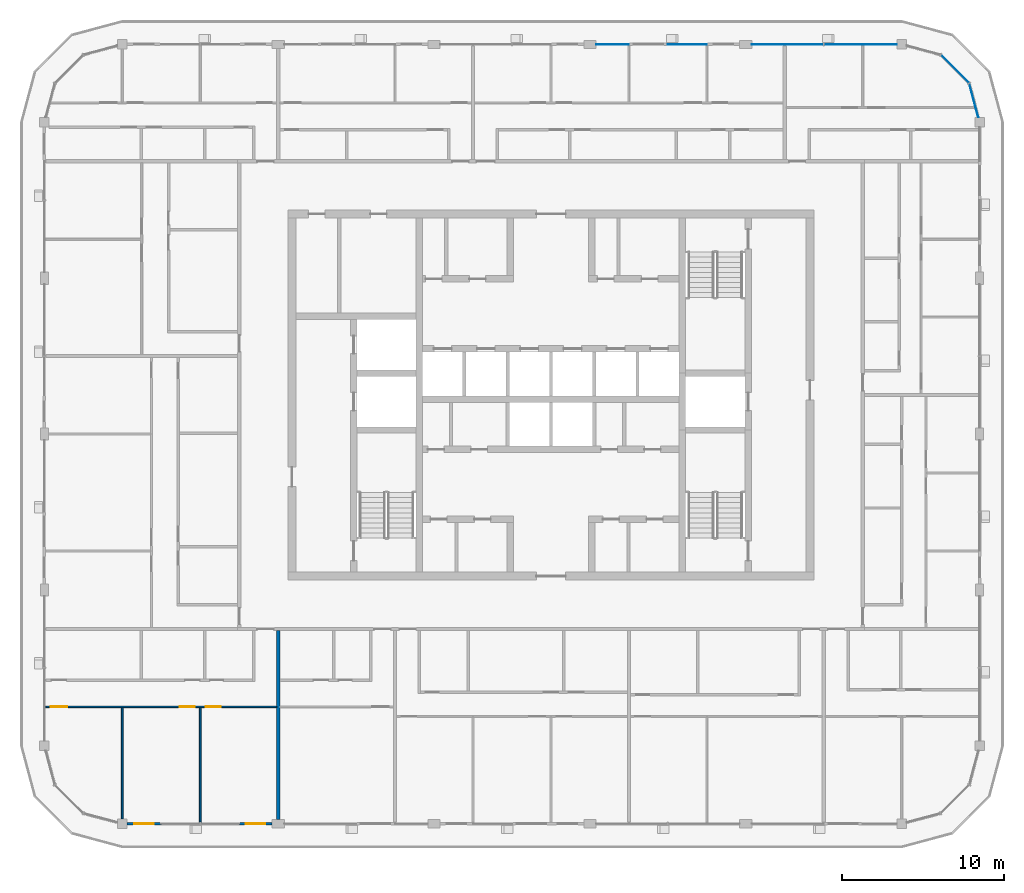
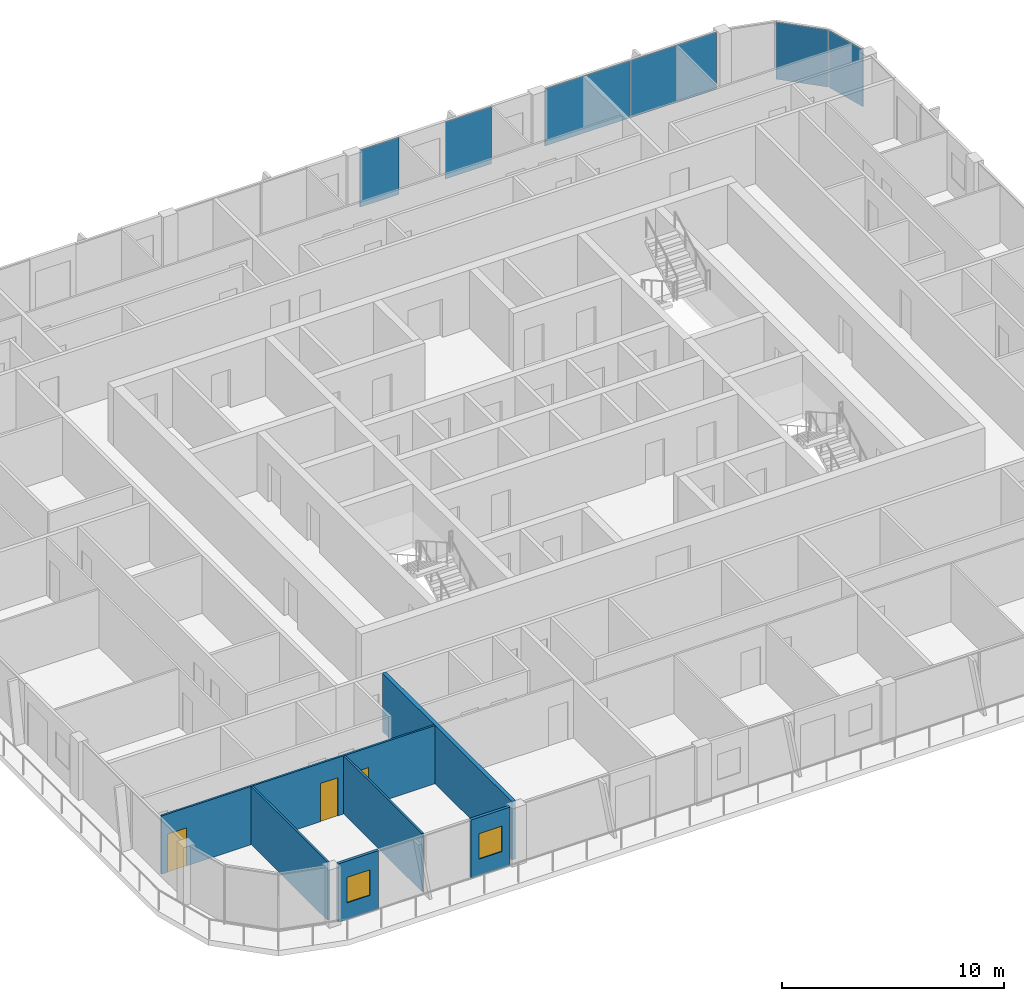
# One storey, part 8 of 22: 6 plates, 6 walls, 3 doors, 2 windows, 5 openings, 3 elements without a shape of their own.
"""IFC4 building model written with IfcOpenShell, lengths in metres."""

from ifc_helpers import new_model, si_unit, direction, frame, frame_2d, origin, origin_2d, place, context, subcontext, project, spatial, rectangle, extrude, material, layer, layer_set, type_object, element, fill, aggregate, save


model = new_model("IFC4")

# Units and contexts
model_context = context("Model", 3, precision=1e-05, world=origin(), true_north=direction((0.0, 1.0)))
body_context = subcontext(model_context, "Body", "Model", "MODEL_VIEW")
ifc_project = project(units=[si_unit("LENGTHUNIT", "METRE"), si_unit("AREAUNIT", "SQUARE_METRE"), si_unit("VOLUMEUNIT", "CUBIC_METRE"), si_unit("PLANEANGLEUNIT", "RADIAN"), si_unit("MASSUNIT", "GRAM", prefix="KILO")], contexts=[model_context])

# Site, building, storey
site_placement = place(None, origin())
site = spatial("IfcSite", under=ifc_project, at=site_placement, CompositionType="ELEMENT")
building_placement = place(site_placement, origin())
building = spatial("IfcBuilding", under=site, at=building_placement, Name="Madar Terraces", CompositionType="ELEMENT")
storey_placement = place(building_placement, frame((0.0, 0.0, 279.10009765625)))
storey = spatial("IfcBuildingStorey", under=building, at=storey_placement, Name="L73", CompositionType="ELEMENT", Elevation=279.10009765625)

# Curtain wall, plates
ifc_material_1 = material(Name="Glass, ceramic frit dark grey, with black aluminium frame", Category="aluminium")
ifc_layer_1 = layer(ifc_material_1, 0.199951171875)
ifc_layer_set_1 = layer_set([ifc_layer_1], Name="Facade curtain wall, fritted glass")
curtain_wall_type = type_object("IfcCurtainWallType", Name="Facade curtain wall, fritted glass", PredefinedType="NOTDEFINED", material=ifc_layer_set_1)
curtain_wall_1_placement = place(storey_placement, origin())
curtain_wall_1 = element("IfcCurtainWall", 1, at=curtain_wall_1_placement, inside=storey, type_object=curtain_wall_type, Name="Outer skin curtain wall north bay 1", PredefinedType="NOTDEFINED")
ifc_material_2 = material(Name="Glass, ceramic frit dark grey", Category="glass")
ifc_layer_2 = layer(ifc_material_2, 0.028076171875)
ifc_layer_set_2 = layer_set([ifc_layer_2], Name="Facade glass panel 28")
plate_type = type_object("IfcPlateType", Name="Facade glass panel 28", PredefinedType="CURTAIN_PANEL", material=ifc_layer_set_2)
plate_1_placement = place(storey_placement, frame((50.264892578125, 48.0, 0.0), z_axis=(0.0, 0.0, 1.0), x_axis=(-1.0, 0.0, 0.0)))
plate_1 = element("IfcPlate", 2, at=plate_1_placement, type_object=plate_type, Name="Panel 1", PredefinedType="CURTAIN_PANEL", context=body_context, shape_type="SweptSolid", body=[
    extrude(rectangle(XDim=4.469970703125, YDim=0.028076171875, at=origin_2d()), origin(), (0.0, 0.0, 1.0), 3.139892578125),
])
plate_2_placement = place(storey_placement, frame((45.7724609375, 48.0, 0.0), z_axis=(0.0, 0.0, 1.0), x_axis=(-1.0, 0.0, 0.0)))
plate_2 = element("IfcPlate", 3, at=plate_2_placement, type_object=plate_type, Name="Panel 2", PredefinedType="CURTAIN_PANEL", context=body_context, shape_type="SweptSolid", body=[
    extrude(rectangle(XDim=4.39501953125, YDim=0.028076171875, at=origin_2d()), origin(), (0.0, 0.0, 1.0), 3.139892578125),
])
aggregate(curtain_wall_1, [plate_1, plate_2])

curtain_wall_2_placement = place(storey_placement, origin())
curtain_wall_2 = element("IfcCurtainWall", 4, at=curtain_wall_2_placement, inside=storey, type_object=curtain_wall_type, Name="Outer skin curtain wall north bay 2", PredefinedType="NOTDEFINED")
plate_3_placement = place(storey_placement, frame((39.60009765625, 48.0, 0.0), z_axis=(0.0, 0.0, 1.0), x_axis=(-1.0, 0.0, 0.0)))
plate_3 = element("IfcPlate", 5, at=plate_3_placement, type_object=plate_type, Name="Panel 1", PredefinedType="CURTAIN_PANEL", context=body_context, shape_type="SweptSolid", body=[
    extrude(rectangle(XDim=2.39990234375, YDim=0.028076171875, at=origin_2d()), origin(), (0.0, 0.0, 1.0), 3.139892578125),
])
plate_4_placement = place(storey_placement, frame((34.987548828125, 48.0, 0.0), z_axis=(0.0, 0.0, 1.0), x_axis=(-1.0, 0.0, 0.0)))
plate_4 = element("IfcPlate", 6, at=plate_4_placement, type_object=plate_type, Name="Panel 2", PredefinedType="CURTAIN_PANEL", context=body_context, shape_type="SweptSolid", body=[
    extrude(rectangle(XDim=2.02490234375, YDim=0.028076171875, at=origin_2d()), origin(), (0.0, 0.0, 1.0), 3.139892578125),
])
aggregate(curtain_wall_2, [plate_3, plate_4])

curtain_wall_3_placement = place(storey_placement, origin())
curtain_wall_3 = element("IfcCurtainWall", 7, at=curtain_wall_3_placement, inside=storey, type_object=curtain_wall_type, Name="Outer skin curtain wall north-east corner", PredefinedType="NOTDEFINED")
plate_5_placement = place(storey_placement, frame((57.2421875, 44.535400390625, 0.0), z_axis=(0.0, 0.0, 1.0), x_axis=(-0.258819021888, 0.965925832509, 0.0)))
plate_5 = element("IfcPlate", 8, at=plate_5_placement, type_object=plate_type, Name="Panel 1", PredefinedType="CURTAIN_PANEL", context=body_context, shape_type="SweptSolid", body=[
    extrude(rectangle(XDim=2.14404296875, YDim=0.028076171875, at=origin_2d()), origin(), (0.0, 0.0, 1.0), 3.139892578125),
])
plate_6_placement = place(storey_placement, frame((56.078369140625, 46.478515625, 0.0), z_axis=(0.0, 0.0, 1.0), x_axis=(-0.707106781187, 0.707106781187, 0.0)))
plate_6 = element("IfcPlate", 9, at=plate_6_placement, type_object=plate_type, Name="Panel 2", PredefinedType="CURTAIN_PANEL", context=body_context, shape_type="SweptSolid", body=[
    extrude(rectangle(XDim=2.424560546875, YDim=0.028076171875, at=origin_2d()), origin(), (0.0, 0.0, 1.0), 3.139892578125),
])
aggregate(curtain_wall_3, [plate_5, plate_6])

# Wall, opening, window
ifc_material_3 = material(Name="Aluminium composite panel, black, over insulated backing", Category="aluminium")
ifc_layer_3 = layer(ifc_material_3, 0.14990234375)
ifc_layer_set_3 = layer_set([ifc_layer_3], Name="Facade bay panel 150")
wall_type_1 = type_object("IfcWallType", Name="Facade bay panel 150", PredefinedType="SOLIDWALL", material=ifc_layer_set_3)
wall_1_placement = place(storey_placement, frame((5.10009765625, 0.0, 0.0), z_axis=(0.0, 0.0, 1.0), x_axis=(1.0, 0.0, 0.0)))
wall_1 = element("IfcWall", 10, at=wall_1_placement, inside=storey, type_object=wall_type_1, Name="Facade bay panel", PredefinedType="SOLIDWALL", context=body_context, shape_type="SweptSolid", body=[
    extrude(rectangle(XDim=2.099853515625, YDim=0.14990234375, at=frame_2d((1.0498046875, 0.0))), origin(), (0.0, 0.0, 1.0), 3.199951171875),
])
opening_1_placement = place(wall_1_placement, frame((0.449951171875, 0.0, 0.89990234375)))
opening_1 = element("IfcOpeningElement", 11, at=opening_1_placement, cuts=wall_1, Name="Opening W1", PredefinedType="OPENING", context=body_context, shape_type="SweptSolid", body=[
    extrude(rectangle(XDim=1.199951171875, YDim=1.39990234375, at=frame_2d((0.60009765625, 0.699951171875))), frame((0.0, 0.0849609375, 0.0), z_axis=(0.0, -1.0, 0.0), x_axis=(1.0, 0.0, 0.0)), (0.0, 0.0, 1.0), 0.169921875),
])
ifc_material_4 = material(Name="Glass, clear, with black aluminium frame", Category="aluminium")
window_type = type_object("IfcWindowType", Name="Vent window 1200 x 1400", PartitioningType="SINGLE_PANEL", PredefinedType="WINDOW", material=ifc_material_4)
window_1_placement = place(opening_1_placement, origin())
window_1 = element("IfcWindow", 12, at=window_1_placement, inside=storey, type_object=window_type, Name="Operable vent window", OverallHeight=1.39990234375, OverallWidth=1.199951171875, PartitioningType="SINGLE_PANEL", PredefinedType="WINDOW", context=body_context, shape_type="SweptSolid", body=[
    extrude(rectangle(XDim=1.199951171875, YDim=1.39990234375, at=frame_2d((0.60009765625, 0.699951171875))), frame((0.0, 0.030029296875, 0.0), z_axis=(0.0, -1.0, 0.0), x_axis=(1.0, 0.0, 0.0)), (0.0, 0.0, 1.0), 0.06005859375),
])
fill(opening_1, window_1)

wall_2_placement = place(storey_placement, frame((12.0, 0.0, 0.0), z_axis=(0.0, 0.0, 1.0), x_axis=(1.0, 0.0, 0.0)))
wall_2 = element("IfcWall", 13, at=wall_2_placement, inside=storey, type_object=wall_type_1, Name="Facade bay panel", PredefinedType="SOLIDWALL", context=body_context, shape_type="SweptSolid", body=[
    extrude(rectangle(XDim=2.02490234375, YDim=0.14990234375, at=frame_2d((1.012451171875, 0.0))), origin(), (0.0, 0.0, 1.0), 3.199951171875),
])
opening_2_placement = place(wall_2_placement, frame((0.41259765625, 0.0, 0.89990234375)))
opening_2 = element("IfcOpeningElement", 14, at=opening_2_placement, cuts=wall_2, Name="Opening W1", PredefinedType="OPENING", context=body_context, shape_type="SweptSolid", body=[
    extrude(rectangle(XDim=1.199951171875, YDim=1.39990234375, at=frame_2d((0.60009765625, 0.699951171875))), frame((0.0, 0.0849609375, 0.0), z_axis=(0.0, -1.0, 0.0), x_axis=(1.0, 0.0, 0.0)), (0.0, 0.0, 1.0), 0.169921875),
])
window_2_placement = place(opening_2_placement, origin())
window_2 = element("IfcWindow", 15, at=window_2_placement, inside=storey, type_object=window_type, Name="Operable vent window", OverallHeight=1.39990234375, OverallWidth=1.199951171875, PartitioningType="SINGLE_PANEL", PredefinedType="WINDOW", context=body_context, shape_type="SweptSolid", body=[
    extrude(rectangle(XDim=1.199951171875, YDim=1.39990234375, at=frame_2d((0.60009765625, 0.699951171875))), frame((0.0, 0.030029296875, 0.0), z_axis=(0.0, -1.0, 0.0), x_axis=(1.0, 0.0, 0.0)), (0.0, 0.0, 1.0), 0.06005859375),
])
fill(opening_2, window_2)

# Walls
ifc_material_5 = material(Name="Gypsum board on steel studs", Category="steel")
ifc_layer_4 = layer(ifc_material_5, 0.10009765625)
ifc_layer_set_4 = layer_set([ifc_layer_4], Name="Flat partition 100")
wall_type_2 = type_object("IfcWallType", Name="Flat partition 100", PredefinedType="PARTITIONING", material=ifc_layer_set_4)
wall_3_placement = place(storey_placement, frame((9.60009765625, 7.14990234375, 0.0), z_axis=(0.0, 0.0, 1.0), x_axis=(0.0, -1.0, 0.0)))
element("IfcWall", 16, at=wall_3_placement, inside=storey, type_object=wall_type_2, Name="Flat partition 100", PredefinedType="PARTITIONING", context=body_context, shape_type="SweptSolid", body=[
    extrude(rectangle(XDim=7.0498046875, YDim=0.10009765625, at=frame_2d((3.52490234375, 0.0))), origin(), (0.0, 0.0, 1.0), 3.199951171875),
])
wall_4_placement = place(storey_placement, frame((4.800048828125, 7.14990234375, 0.0), z_axis=(0.0, 0.0, 1.0), x_axis=(0.0, -1.0, 0.0)))
element("IfcWall", 17, at=wall_4_placement, inside=storey, type_object=wall_type_2, Name="Flat partition 100", PredefinedType="PARTITIONING", context=body_context, shape_type="SweptSolid", body=[
    extrude(rectangle(XDim=6.849853515625, YDim=0.10009765625, at=frame_2d((3.4248046875, 0.0))), origin(), (0.0, 0.0, 1.0), 3.199951171875),
])

# Wall, openings, doors
wall_5_placement = place(storey_placement, frame((14.300048828125, 7.199951171875, 0.0), z_axis=(0.0, 0.0, 1.0), x_axis=(-1.0, 0.0, 0.0)))
wall_5 = element("IfcWall", 18, at=wall_5_placement, inside=storey, type_object=wall_type_2, Name="Flat partition 100", PredefinedType="PARTITIONING", context=body_context, shape_type="SweptSolid", body=[
    extrude(rectangle(XDim=14.199951171875, YDim=0.10009765625, at=frame_2d((7.10009765625, 0.0))), origin(), (0.0, 0.0, 1.0), 3.199951171875),
])
opening_3_placement = place(wall_5_placement, frame((3.449951171875, 0.0, 0.0)))
opening_3 = element("IfcOpeningElement", 19, at=opening_3_placement, cuts=wall_5, Name="Opening D2", PredefinedType="OPENING", context=body_context, shape_type="SweptSolid", body=[
    extrude(rectangle(XDim=0.89990234375, YDim=2.10009765625, at=frame_2d((0.449951171875, 1.050048828125))), frame((0.0, 0.06005859375, 0.0), z_axis=(0.0, -1.0, 0.0), x_axis=(1.0, 0.0, 0.0)), (0.0, 0.0, 1.0), 0.1201171875),
])
opening_4_placement = place(wall_5_placement, frame((5.050048828125, 0.0, 0.0)))
opening_4 = element("IfcOpeningElement", 20, at=opening_4_placement, cuts=wall_5, Name="Opening D2", PredefinedType="OPENING", context=body_context, shape_type="SweptSolid", body=[
    extrude(rectangle(XDim=0.89990234375, YDim=2.10009765625, at=frame_2d((0.449951171875, 1.050048828125))), frame((0.0, 0.06005859375, 0.0), z_axis=(0.0, -1.0, 0.0), x_axis=(1.0, 0.0, 0.0)), (0.0, 0.0, 1.0), 0.1201171875),
])
opening_5_placement = place(wall_5_placement, frame((12.89990234375, 0.0, 0.0)))
opening_5 = element("IfcOpeningElement", 21, at=opening_5_placement, cuts=wall_5, Name="Opening D3", PredefinedType="OPENING", context=body_context, shape_type="SweptSolid", body=[
    extrude(rectangle(XDim=1.0, YDim=2.10009765625, at=frame_2d((0.5, 1.050048828125))), frame((0.0, 0.06005859375, 0.0), z_axis=(0.0, -1.0, 0.0), x_axis=(1.0, 0.0, 0.0)), (0.0, 0.0, 1.0), 0.1201171875),
])
ifc_material_6 = material(Name="Timber door leaf", Category="wood")
door_type_1 = type_object("IfcDoorType", Name="Flat living room door 1000", OperationType="NOTDEFINED", PredefinedType="DOOR", material=ifc_material_6)
door_1_placement = place(opening_5_placement, origin())
door_1 = element("IfcDoor", 22, at=door_1_placement, inside=storey, type_object=door_type_1, Name="Flat living room door 1000", OperationType="SINGLE_SWING_RIGHT", OverallHeight=2.10009765625, OverallWidth=1.0, PredefinedType="DOOR", context=body_context, shape_type="SweptSolid", body=[
    extrude(rectangle(XDim=1.0, YDim=2.10009765625, at=frame_2d((0.5, 1.050048828125))), frame((0.0, 0.02490234375, 0.0), z_axis=(0.0, -1.0, 0.0), x_axis=(1.0, 0.0, 0.0)), (0.0, 0.0, 1.0), 0.050048828125),
])
fill(opening_5, door_1)
ifc_material_7 = material(Name="Timber door leaf", Category="wood")
door_type_2 = type_object("IfcDoorType", Name="Flat room door 900", OperationType="NOTDEFINED", PredefinedType="DOOR", material=ifc_material_7)
door_2_placement = place(opening_3_placement, origin())
door_2 = element("IfcDoor", 23, at=door_2_placement, inside=storey, type_object=door_type_2, Name="Flat room door 900", OperationType="SINGLE_SWING_RIGHT", OverallHeight=2.10009765625, OverallWidth=0.89990234375, PredefinedType="DOOR", context=body_context, shape_type="SweptSolid", body=[
    extrude(rectangle(XDim=0.89990234375, YDim=2.10009765625, at=frame_2d((0.449951171875, 1.050048828125))), frame((0.0, 0.02490234375, 0.0), z_axis=(0.0, -1.0, 0.0), x_axis=(1.0, 0.0, 0.0)), (0.0, 0.0, 1.0), 0.050048828125),
])
fill(opening_3, door_2)
door_3_placement = place(opening_4_placement, origin())
door_3 = element("IfcDoor", 24, at=door_3_placement, inside=storey, type_object=door_type_2, Name="Flat room door 900", OperationType="SINGLE_SWING_LEFT", OverallHeight=2.10009765625, OverallWidth=0.89990234375, PredefinedType="DOOR", context=body_context, shape_type="SweptSolid", body=[
    extrude(rectangle(XDim=0.89990234375, YDim=2.10009765625, at=frame_2d((0.449951171875, 1.050048828125))), frame((0.0, 0.02490234375, 0.0), z_axis=(0.0, -1.0, 0.0), x_axis=(1.0, 0.0, 0.0)), (0.0, 0.0, 1.0), 0.050048828125),
])
fill(opening_4, door_3)

# Wall
ifc_material_8 = material(Name="Lightweight blockwork", Category="masonry")
ifc_layer_5 = layer(ifc_material_8, 0.199951171875)
ifc_layer_set_5 = layer_set([ifc_layer_5], Name="Flat party and entrance wall 200")
wall_type_3 = type_object("IfcWallType", Name="Flat party and entrance wall 200", PredefinedType="PARTITIONING", material=ifc_layer_set_5)
wall_6_placement = place(storey_placement, frame((14.39990234375, 11.89990234375, 0.0), z_axis=(0.0, 0.0, 1.0), x_axis=(0.0, -1.0, 0.0)))
element("IfcWall", 25, at=wall_6_placement, inside=storey, type_object=wall_type_3, Name="Flat party and entrance wall 200", PredefinedType="PARTITIONING", context=body_context, shape_type="SweptSolid", body=[
    extrude(rectangle(XDim=11.64990234375, YDim=0.199951171875, at=frame_2d((5.824951171875, 0.0))), origin(), (0.0, 0.0, 1.0), 3.199951171875),
])

save(model, "model.ifc")
